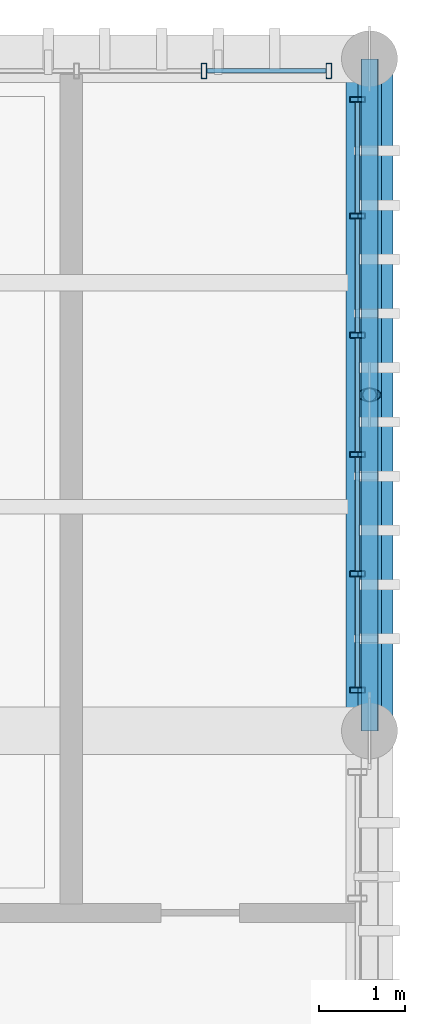
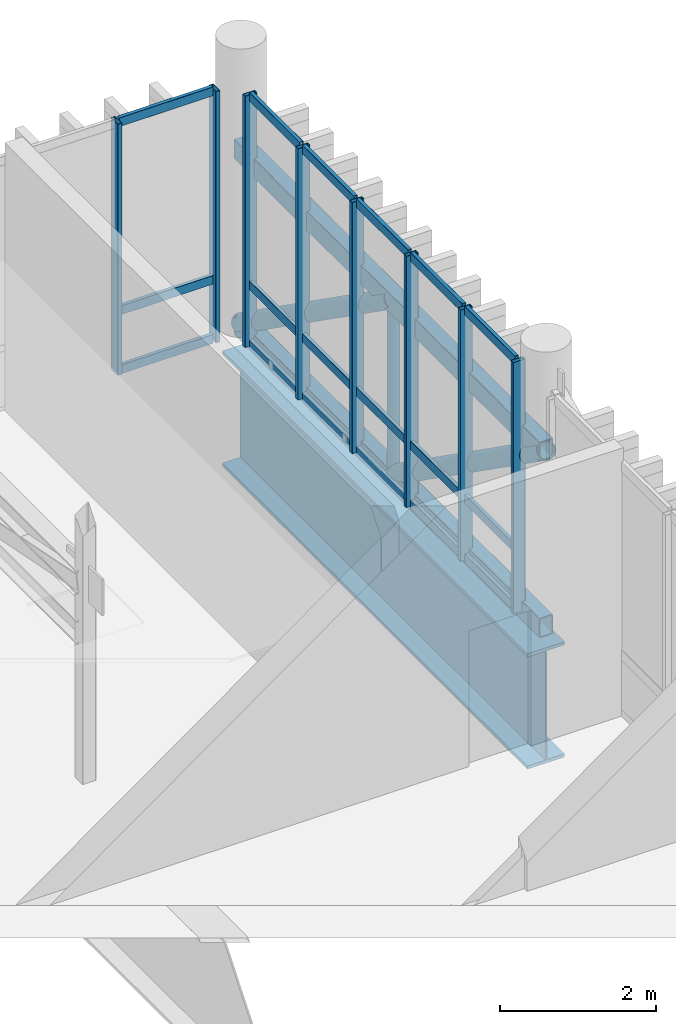
# One storey, part 40 of 53: 31 members, 1 beam, 2 elements without a shape of their own.
"""IFC4 building model written with IfcOpenShell, lengths in metres."""

from ifc_helpers import new_model, si_unit, direction, frame, origin_with_axes, origin_2d_with_axis, place, context, subcontext, project, spatial, hollow_rectangle, hollow_circle, i_section, extrude, material, material_profile, profile_set, type_object, element, aggregate, save


model = new_model("IFC4")

# Units and contexts
model_context = context("Model", 3, precision=1e-05, world=origin_with_axes(), true_north=direction((0.0, 1.0)))
body_context = subcontext(model_context, "Body", "Model", "MODEL_VIEW")
ifc_project = project(units=[si_unit("LENGTHUNIT", "METRE"), si_unit("AREAUNIT", "SQUARE_METRE"), si_unit("VOLUMEUNIT", "CUBIC_METRE"), si_unit("PLANEANGLEUNIT", "RADIAN"), si_unit("MASSUNIT", "GRAM", prefix="KILO"), si_unit("THERMODYNAMICTEMPERATUREUNIT", "KELVIN")], contexts=[model_context])

# Site, building, storey
site_placement = place(None, origin_with_axes())
site = spatial("IfcSite", under=ifc_project, at=site_placement, CompositionType="ELEMENT")
building_placement = place(site_placement, origin_with_axes())
building = spatial("IfcBuilding", under=site, at=building_placement, Name="Montbau Bow Law Courts", CompositionType="ELEMENT")
storey_placement = place(building_placement, frame((0.0, 0.0, 39.0), z_axis=(0.0, 0.0, 1.0), x_axis=(1.0, 0.0, 0.0)))
storey = spatial("IfcBuildingStorey", under=building, at=storey_placement, Name="L08", CompositionType="ELEMENT", Elevation=39.0)

# Beam
ifc_material_1 = material(Name="Steel CSA G40.21 Grade 350WT (350 MPa)", Category="steel")
ifc_material_profile_1 = material_profile(ifc_material_1, i_section(OverallWidth=0.55, OverallDepth=1.8, WebThickness=0.022, FlangeThickness=0.05, at=origin_2d_with_axis()), Name="WWF1800X550", Category="Main", Priority=0)
ifc_profile_set_1 = profile_set([ifc_material_profile_1], Name="Steel CSA G40.21 Grade 350WT (350 MPa)")
beam_type = type_object("IfcBeamType", Name="B-TRG-01", PredefinedType="USERDEFINED", material=ifc_profile_set_1)
beam_placement = place(None, frame((169.4, 103.2, 37.76), z_axis=(0.0, 1.0, 0.0), x_axis=(-1.0, 0.0, 0.0)))
element("IfcBeam", 1, at=beam_placement, inside=storey, type_object=beam_type, Name="TRG-L08-S0105:bm2_0108", ObjectType="GIRDER", PredefinedType="USERDEFINED", context=body_context, shape_type="SweptSolid", body=[
    extrude(i_section(OverallWidth=0.55, OverallDepth=1.8, WebThickness=0.022, FlangeThickness=0.05, at=origin_2d_with_axis()), origin_with_axes(), (0.0, 0.0, 1.0), 7.8),
])

# Members
ifc_material_2 = material(Name="Steel CSA G40.21 Grade 350W (350 MPa)", Category="steel")
ifc_material_profile_2 = material_profile(ifc_material_2, hollow_circle(Radius=0.1365, WallThickness=0.0127, at=origin_2d_with_axis()), Name="HSS273X13", Category="Main", Priority=0)
ifc_profile_set_2 = profile_set([ifc_material_profile_2], Name="Steel CSA G40.21 Grade 350W (350 MPa)")
member_type_1 = type_object("IfcMemberType", Name="M-BRC-03", PredefinedType="BRACE", material=ifc_profile_set_2)
for number, where, z_axis, x_axis, name in (
    (2, (169.4, 103.2, 41.75), (0.0, 0.817258134, -0.576271761), (-1.0, 0.0, 0.0), "Diagonal brace BRC-L08-037"),
    (3, (169.4, 107.1, 41.75), (0.0, 0.817258134, -0.576271761), (-1.0, 0.0, 0.0), "Diagonal brace BRC-L08-038"),
):
    element("IfcMember", number, at=place(None, frame(where, z_axis=z_axis, x_axis=x_axis)), inside=storey, type_object=member_type_1, Name=name, PredefinedType="BRACE", context=body_context, shape_type="SweptSolid", body=[
        extrude(hollow_circle(Radius=0.1365, WallThickness=0.0127, at=origin_2d_with_axis()), origin_with_axes(), (0.0, 0.0, 1.0), 4.772054),
    ])
ifc_material_profile_3 = material_profile(ifc_material_1, hollow_rectangle(XDim=0.203, YDim=0.305, WallThickness=0.0127, InnerFilletRadius=0.0254, OuterFilletRadius=0.0127, at=origin_2d_with_axis()), Name="HSS305X203X13", Category="Main", Priority=0)
ifc_profile_set_3 = profile_set([ifc_material_profile_3], Name="Steel CSA G40.21 Grade 350WT (350 MPa)")
member_type_2 = type_object("IfcMemberType", Name="M-CHD-02", PredefinedType="CHORD", material=ifc_profile_set_3)
for number, where, z_axis, x_axis, name in (
    (4, (169.4, 103.2, 39.0), (0.0, 1.0, 0.0), (-1.0, 0.0, 0.0), "CHB-L08-19:chb_0019"),
    (5, (169.4, 103.2, 41.75), (0.0, 1.0, 0.0), (-1.0, 0.0, 0.0), "CHD-L08-19:mbr_0073"),
):
    element("IfcMember", number, at=place(None, frame(where, z_axis=z_axis, x_axis=x_axis)), inside=storey, type_object=member_type_2, Name=name, PredefinedType="CHORD", context=body_context, shape_type="SweptSolid", body=[
        extrude(hollow_rectangle(XDim=0.203, YDim=0.305, WallThickness=0.0127, InnerFilletRadius=0.0254, OuterFilletRadius=0.0127, at=origin_2d_with_axis()), origin_with_axes(), (0.0, 0.0, 1.0), 7.8),
    ])

# Curtain wall, members
ifc_material_3 = material(Name="Thermally Broken Extruded Aluminium AA 6063-T6", Category="aluminium")
curtain_wall_type = type_object("IfcCurtainWallType", Name="CW-CRM-03", PredefinedType="NOTDEFINED", material=ifc_material_3)
curtain_wall_1_placement = place(None, frame((163.04, 110.86, 39.0), z_axis=(0.0, 0.0, 1.0), x_axis=(1.0, 0.0, 0.0)))
curtain_wall_1 = element("IfcCurtainWall", 6, at=curtain_wall_1_placement, inside=storey, type_object=curtain_wall_type, Name="CW-L08-379:cw_0379", PredefinedType="NOTDEFINED")
ifc_material_profile_4 = material_profile(ifc_material_3, hollow_rectangle(XDim=0.065, YDim=0.18, WallThickness=0.005, InnerFilletRadius=0.01, OuterFilletRadius=0.005, at=origin_2d_with_axis()), Name="CWM-180X65", Category="Main", Priority=0)
ifc_profile_set_4 = profile_set([ifc_material_profile_4], Name="Thermally Broken Extruded Aluminium AA 6063-T6")
member_type_3 = type_object("IfcMemberType", Name="M-MUL-02", PredefinedType="MULLION", material=ifc_profile_set_4)
member_1_placement = place(None, frame((167.48, 110.86, 39.0), z_axis=(0.0, 0.0, 1.0), x_axis=(1.0, 0.0, 0.0)))
member_1 = element("IfcMember", 7, at=member_1_placement, type_object=member_type_3, Name="CW-L08-379-M04:cw_0379_M04", PredefinedType="MULLION", context=body_context, shape_type="SweptSolid", body=[
    extrude(hollow_rectangle(XDim=0.065, YDim=0.18, WallThickness=0.005, InnerFilletRadius=0.01, OuterFilletRadius=0.005, at=origin_2d_with_axis()), origin_with_axes(), (0.0, 0.0, 1.0), 3.92),
])
member_2_placement = place(None, frame((168.928, 110.86, 39.0), z_axis=(0.0, 0.0, 1.0), x_axis=(1.0, 0.0, 0.0)))
member_2 = element("IfcMember", 8, at=member_2_placement, type_object=member_type_3, Name="CW-L08-379-M05:cw_0379_M05", PredefinedType="MULLION", context=body_context, shape_type="SweptSolid", body=[
    extrude(hollow_rectangle(XDim=0.065, YDim=0.18, WallThickness=0.005, InnerFilletRadius=0.01, OuterFilletRadius=0.005, at=origin_2d_with_axis()), origin_with_axes(), (0.0, 0.0, 1.0), 3.92),
])

curtain_wall_2_placement = place(None, frame((169.26, 103.64, 39.0), z_axis=(0.0, 0.0, 1.0), x_axis=(1.0, 0.0, 0.0)))
curtain_wall_2 = element("IfcCurtainWall", 9, at=curtain_wall_2_placement, inside=storey, type_object=curtain_wall_type, Name="CW-L08-385:cw_0385", PredefinedType="NOTDEFINED")
member_3_placement = place(None, frame((169.26, 103.673, 39.0), z_axis=(0.0, 0.0, 1.0), x_axis=(0.0, 1.0, 0.0)))
member_3 = element("IfcMember", 10, at=member_3_placement, type_object=member_type_3, Name="CW-L08-385-M01:cw_0385_M01", PredefinedType="MULLION", context=body_context, shape_type="SweptSolid", body=[
    extrude(hollow_rectangle(XDim=0.065, YDim=0.18, WallThickness=0.005, InnerFilletRadius=0.01, OuterFilletRadius=0.005, at=origin_2d_with_axis()), origin_with_axes(), (0.0, 0.0, 1.0), 3.92),
])
member_4_placement = place(None, frame((169.26, 105.024, 39.0), z_axis=(0.0, 0.0, 1.0), x_axis=(0.0, 1.0, 0.0)))
member_4 = element("IfcMember", 11, at=member_4_placement, type_object=member_type_3, Name="CW-L08-385-M02:cw_0385_M02", PredefinedType="MULLION", context=body_context, shape_type="SweptSolid", body=[
    extrude(hollow_rectangle(XDim=0.065, YDim=0.18, WallThickness=0.005, InnerFilletRadius=0.01, OuterFilletRadius=0.005, at=origin_2d_with_axis()), origin_with_axes(), (0.0, 0.0, 1.0), 3.92),
])
member_5_placement = place(None, frame((169.26, 106.408, 39.0), z_axis=(0.0, 0.0, 1.0), x_axis=(0.0, 1.0, 0.0)))
member_5 = element("IfcMember", 12, at=member_5_placement, type_object=member_type_3, Name="CW-L08-385-M03:cw_0385_M03", PredefinedType="MULLION", context=body_context, shape_type="SweptSolid", body=[
    extrude(hollow_rectangle(XDim=0.065, YDim=0.18, WallThickness=0.005, InnerFilletRadius=0.01, OuterFilletRadius=0.005, at=origin_2d_with_axis()), origin_with_axes(), (0.0, 0.0, 1.0), 3.92),
])
member_6_placement = place(None, frame((169.26, 107.792, 39.0), z_axis=(0.0, 0.0, 1.0), x_axis=(0.0, 1.0, 0.0)))
member_6 = element("IfcMember", 13, at=member_6_placement, type_object=member_type_3, Name="CW-L08-385-M04:cw_0385_M04", PredefinedType="MULLION", context=body_context, shape_type="SweptSolid", body=[
    extrude(hollow_rectangle(XDim=0.065, YDim=0.18, WallThickness=0.005, InnerFilletRadius=0.01, OuterFilletRadius=0.005, at=origin_2d_with_axis()), origin_with_axes(), (0.0, 0.0, 1.0), 3.92),
])
member_7_placement = place(None, frame((169.26, 109.176, 39.0), z_axis=(0.0, 0.0, 1.0), x_axis=(0.0, 1.0, 0.0)))
member_7 = element("IfcMember", 14, at=member_7_placement, type_object=member_type_3, Name="CW-L08-385-M05:cw_0385_M05", PredefinedType="MULLION", context=body_context, shape_type="SweptSolid", body=[
    extrude(hollow_rectangle(XDim=0.065, YDim=0.18, WallThickness=0.005, InnerFilletRadius=0.01, OuterFilletRadius=0.005, at=origin_2d_with_axis()), origin_with_axes(), (0.0, 0.0, 1.0), 3.92),
])
member_8_placement = place(None, frame((169.26, 110.528, 39.0), z_axis=(0.0, 0.0, 1.0), x_axis=(0.0, 1.0, 0.0)))
member_8 = element("IfcMember", 15, at=member_8_placement, type_object=member_type_3, Name="CW-L08-385-M06:cw_0385_M06", PredefinedType="MULLION", context=body_context, shape_type="SweptSolid", body=[
    extrude(hollow_rectangle(XDim=0.065, YDim=0.18, WallThickness=0.005, InnerFilletRadius=0.01, OuterFilletRadius=0.005, at=origin_2d_with_axis()), origin_with_axes(), (0.0, 0.0, 1.0), 3.92),
])

# Member
ifc_material_profile_5 = material_profile(ifc_material_2, hollow_circle(Radius=0.084, WallThickness=0.0095, at=origin_2d_with_axis()), Name="HSS168X9.5", Category="Main", Priority=0)
ifc_profile_set_5 = profile_set([ifc_material_profile_5], Name="Steel CSA G40.21 Grade 350W (350 MPa)")
member_type_4 = type_object("IfcMemberType", Name="M-STR-01", PredefinedType="STRUT", material=ifc_profile_set_5)
member_9_placement = place(None, frame((169.4, 107.1, 39.0), z_axis=(0.0, 0.0, 1.0), x_axis=(1.0, 0.0, 0.0)))
element("IfcMember", 16, at=member_9_placement, inside=storey, type_object=member_type_4, Name="STR-L08-19:mbr_0076", PredefinedType="STRUT", context=body_context, shape_type="SweptSolid", body=[
    extrude(hollow_circle(Radius=0.084, WallThickness=0.0095, at=origin_2d_with_axis()), origin_with_axes(), (0.0, 0.0, 1.0), 2.75),
])

ifc_material_profile_6 = material_profile(ifc_material_3, hollow_rectangle(XDim=0.055, YDim=0.14, WallThickness=0.004, InnerFilletRadius=0.008, OuterFilletRadius=0.004, at=origin_2d_with_axis()), Name="CWT-140X55", Category="Main", Priority=0)
ifc_profile_set_6 = profile_set([ifc_material_profile_6], Name="Thermally Broken Extruded Aluminium AA 6063-T6")
member_type_5 = type_object("IfcMemberType", Name="M-TRN-02", PredefinedType="USERDEFINED", material=ifc_profile_set_6)
member_10_placement = place(None, frame((167.514, 110.86, 39.028), z_axis=(1.0, 0.0, 0.0), x_axis=(0.0, 1.0, 0.0)))
member_10 = element("IfcMember", 17, at=member_10_placement, type_object=member_type_5, Name="CW-L08-379-T04-1:cw_0379_T04_1", ObjectType="TRANSOM", PredefinedType="USERDEFINED", context=body_context, shape_type="SweptSolid", body=[
    extrude(hollow_rectangle(XDim=0.055, YDim=0.14, WallThickness=0.004, InnerFilletRadius=0.008, OuterFilletRadius=0.004, at=origin_2d_with_axis()), origin_with_axes(), (0.0, 0.0, 1.0), 1.38),
])

member_11_placement = place(None, frame((167.514, 110.86, 39.95), z_axis=(1.0, 0.0, 0.0), x_axis=(0.0, 1.0, 0.0)))
member_11 = element("IfcMember", 18, at=member_11_placement, type_object=member_type_5, Name="CW-L08-379-T04-2:cw_0379_T04_2", ObjectType="TRANSOM", PredefinedType="USERDEFINED", context=body_context, shape_type="SweptSolid", body=[
    extrude(hollow_rectangle(XDim=0.055, YDim=0.14, WallThickness=0.004, InnerFilletRadius=0.008, OuterFilletRadius=0.004, at=origin_2d_with_axis()), origin_with_axes(), (0.0, 0.0, 1.0), 1.38),
])

member_12_placement = place(None, frame((167.514, 110.86, 42.892), z_axis=(1.0, 0.0, 0.0), x_axis=(0.0, 1.0, 0.0)))
member_12 = element("IfcMember", 19, at=member_12_placement, type_object=member_type_5, Name="CW-L08-379-T04-3:cw_0379_T04_3", ObjectType="TRANSOM", PredefinedType="USERDEFINED", context=body_context, shape_type="SweptSolid", body=[
    extrude(hollow_rectangle(XDim=0.055, YDim=0.14, WallThickness=0.004, InnerFilletRadius=0.008, OuterFilletRadius=0.004, at=origin_2d_with_axis()), origin_with_axes(), (0.0, 0.0, 1.0), 1.38),
])

aggregate(curtain_wall_1, [member_1, member_2, member_10, member_11, member_12])

member_13_placement = place(None, frame((169.26, 103.708, 39.028), z_axis=(0.0, 1.0, 0.0), x_axis=(-1.0, 0.0, 0.0)))
member_13 = element("IfcMember", 20, at=member_13_placement, type_object=member_type_5, Name="CW-L08-385-T01-1:cw_0385_T01_1", ObjectType="TRANSOM", PredefinedType="USERDEFINED", context=body_context, shape_type="SweptSolid", body=[
    extrude(hollow_rectangle(XDim=0.055, YDim=0.14, WallThickness=0.004, InnerFilletRadius=0.008, OuterFilletRadius=0.004, at=origin_2d_with_axis()), origin_with_axes(), (0.0, 0.0, 1.0), 1.281),
])

member_14_placement = place(None, frame((169.26, 103.708, 39.95), z_axis=(0.0, 1.0, 0.0), x_axis=(-1.0, 0.0, 0.0)))
member_14 = element("IfcMember", 21, at=member_14_placement, type_object=member_type_5, Name="CW-L08-385-T01-2:cw_0385_T01_2", ObjectType="TRANSOM", PredefinedType="USERDEFINED", context=body_context, shape_type="SweptSolid", body=[
    extrude(hollow_rectangle(XDim=0.055, YDim=0.14, WallThickness=0.004, InnerFilletRadius=0.008, OuterFilletRadius=0.004, at=origin_2d_with_axis()), origin_with_axes(), (0.0, 0.0, 1.0), 1.281),
])

member_15_placement = place(None, frame((169.26, 103.708, 42.892), z_axis=(0.0, 1.0, 0.0), x_axis=(-1.0, 0.0, 0.0)))
member_15 = element("IfcMember", 22, at=member_15_placement, type_object=member_type_5, Name="CW-L08-385-T01-3:cw_0385_T01_3", ObjectType="TRANSOM", PredefinedType="USERDEFINED", context=body_context, shape_type="SweptSolid", body=[
    extrude(hollow_rectangle(XDim=0.055, YDim=0.14, WallThickness=0.004, InnerFilletRadius=0.008, OuterFilletRadius=0.004, at=origin_2d_with_axis()), origin_with_axes(), (0.0, 0.0, 1.0), 1.281),
])

member_16_placement = place(None, frame((169.26, 105.058, 39.028), z_axis=(0.0, 1.0, 0.0), x_axis=(-1.0, 0.0, 0.0)))
member_16 = element("IfcMember", 23, at=member_16_placement, type_object=member_type_5, Name="CW-L08-385-T02-1:cw_0385_T02_1", ObjectType="TRANSOM", PredefinedType="USERDEFINED", context=body_context, shape_type="SweptSolid", body=[
    extrude(hollow_rectangle(XDim=0.055, YDim=0.14, WallThickness=0.004, InnerFilletRadius=0.008, OuterFilletRadius=0.004, at=origin_2d_with_axis()), origin_with_axes(), (0.0, 0.0, 1.0), 1.315),
])

member_17_placement = place(None, frame((169.26, 105.058, 39.95), z_axis=(0.0, 1.0, 0.0), x_axis=(-1.0, 0.0, 0.0)))
member_17 = element("IfcMember", 24, at=member_17_placement, type_object=member_type_5, Name="CW-L08-385-T02-2:cw_0385_T02_2", ObjectType="TRANSOM", PredefinedType="USERDEFINED", context=body_context, shape_type="SweptSolid", body=[
    extrude(hollow_rectangle(XDim=0.055, YDim=0.14, WallThickness=0.004, InnerFilletRadius=0.008, OuterFilletRadius=0.004, at=origin_2d_with_axis()), origin_with_axes(), (0.0, 0.0, 1.0), 1.315),
])

member_18_placement = place(None, frame((169.26, 105.058, 42.892), z_axis=(0.0, 1.0, 0.0), x_axis=(-1.0, 0.0, 0.0)))
member_18 = element("IfcMember", 25, at=member_18_placement, type_object=member_type_5, Name="CW-L08-385-T02-3:cw_0385_T02_3", ObjectType="TRANSOM", PredefinedType="USERDEFINED", context=body_context, shape_type="SweptSolid", body=[
    extrude(hollow_rectangle(XDim=0.055, YDim=0.14, WallThickness=0.004, InnerFilletRadius=0.008, OuterFilletRadius=0.004, at=origin_2d_with_axis()), origin_with_axes(), (0.0, 0.0, 1.0), 1.315),
])

member_19_placement = place(None, frame((169.26, 106.442, 39.028), z_axis=(0.0, 1.0, 0.0), x_axis=(-1.0, 0.0, 0.0)))
member_19 = element("IfcMember", 26, at=member_19_placement, type_object=member_type_5, Name="CW-L08-385-T03-1:cw_0385_T03_1", ObjectType="TRANSOM", PredefinedType="USERDEFINED", context=body_context, shape_type="SweptSolid", body=[
    extrude(hollow_rectangle(XDim=0.055, YDim=0.14, WallThickness=0.004, InnerFilletRadius=0.008, OuterFilletRadius=0.004, at=origin_2d_with_axis()), origin_with_axes(), (0.0, 0.0, 1.0), 1.316),
])

member_20_placement = place(None, frame((169.26, 106.442, 39.95), z_axis=(0.0, 1.0, 0.0), x_axis=(-1.0, 0.0, 0.0)))
member_20 = element("IfcMember", 27, at=member_20_placement, type_object=member_type_5, Name="CW-L08-385-T03-2:cw_0385_T03_2", ObjectType="TRANSOM", PredefinedType="USERDEFINED", context=body_context, shape_type="SweptSolid", body=[
    extrude(hollow_rectangle(XDim=0.055, YDim=0.14, WallThickness=0.004, InnerFilletRadius=0.008, OuterFilletRadius=0.004, at=origin_2d_with_axis()), origin_with_axes(), (0.0, 0.0, 1.0), 1.316),
])

member_21_placement = place(None, frame((169.26, 106.442, 42.892), z_axis=(0.0, 1.0, 0.0), x_axis=(-1.0, 0.0, 0.0)))
member_21 = element("IfcMember", 28, at=member_21_placement, type_object=member_type_5, Name="CW-L08-385-T03-3:cw_0385_T03_3", ObjectType="TRANSOM", PredefinedType="USERDEFINED", context=body_context, shape_type="SweptSolid", body=[
    extrude(hollow_rectangle(XDim=0.055, YDim=0.14, WallThickness=0.004, InnerFilletRadius=0.008, OuterFilletRadius=0.004, at=origin_2d_with_axis()), origin_with_axes(), (0.0, 0.0, 1.0), 1.316),
])

member_22_placement = place(None, frame((169.26, 107.826, 39.028), z_axis=(0.0, 1.0, 0.0), x_axis=(-1.0, 0.0, 0.0)))
member_22 = element("IfcMember", 29, at=member_22_placement, type_object=member_type_5, Name="CW-L08-385-T04-1:cw_0385_T04_1", ObjectType="TRANSOM", PredefinedType="USERDEFINED", context=body_context, shape_type="SweptSolid", body=[
    extrude(hollow_rectangle(XDim=0.055, YDim=0.14, WallThickness=0.004, InnerFilletRadius=0.008, OuterFilletRadius=0.004, at=origin_2d_with_axis()), origin_with_axes(), (0.0, 0.0, 1.0), 1.316),
])

member_23_placement = place(None, frame((169.26, 107.826, 39.95), z_axis=(0.0, 1.0, 0.0), x_axis=(-1.0, 0.0, 0.0)))
member_23 = element("IfcMember", 30, at=member_23_placement, type_object=member_type_5, Name="CW-L08-385-T04-2:cw_0385_T04_2", ObjectType="TRANSOM", PredefinedType="USERDEFINED", context=body_context, shape_type="SweptSolid", body=[
    extrude(hollow_rectangle(XDim=0.055, YDim=0.14, WallThickness=0.004, InnerFilletRadius=0.008, OuterFilletRadius=0.004, at=origin_2d_with_axis()), origin_with_axes(), (0.0, 0.0, 1.0), 1.316),
])

member_24_placement = place(None, frame((169.26, 107.826, 42.892), z_axis=(0.0, 1.0, 0.0), x_axis=(-1.0, 0.0, 0.0)))
member_24 = element("IfcMember", 31, at=member_24_placement, type_object=member_type_5, Name="CW-L08-385-T04-3:cw_0385_T04_3", ObjectType="TRANSOM", PredefinedType="USERDEFINED", context=body_context, shape_type="SweptSolid", body=[
    extrude(hollow_rectangle(XDim=0.055, YDim=0.14, WallThickness=0.004, InnerFilletRadius=0.008, OuterFilletRadius=0.004, at=origin_2d_with_axis()), origin_with_axes(), (0.0, 0.0, 1.0), 1.316),
])

member_25_placement = place(None, frame((169.26, 109.21, 39.028), z_axis=(0.0, 1.0, 0.0), x_axis=(-1.0, 0.0, 0.0)))
member_25 = element("IfcMember", 32, at=member_25_placement, type_object=member_type_5, Name="CW-L08-385-T05-1:cw_0385_T05_1", ObjectType="TRANSOM", PredefinedType="USERDEFINED", context=body_context, shape_type="SweptSolid", body=[
    extrude(hollow_rectangle(XDim=0.055, YDim=0.14, WallThickness=0.004, InnerFilletRadius=0.008, OuterFilletRadius=0.004, at=origin_2d_with_axis()), origin_with_axes(), (0.0, 0.0, 1.0), 1.284),
])

member_26_placement = place(None, frame((169.26, 109.21, 39.95), z_axis=(0.0, 1.0, 0.0), x_axis=(-1.0, 0.0, 0.0)))
member_26 = element("IfcMember", 33, at=member_26_placement, type_object=member_type_5, Name="CW-L08-385-T05-2:cw_0385_T05_2", ObjectType="TRANSOM", PredefinedType="USERDEFINED", context=body_context, shape_type="SweptSolid", body=[
    extrude(hollow_rectangle(XDim=0.055, YDim=0.14, WallThickness=0.004, InnerFilletRadius=0.008, OuterFilletRadius=0.004, at=origin_2d_with_axis()), origin_with_axes(), (0.0, 0.0, 1.0), 1.284),
])

member_27_placement = place(None, frame((169.26, 109.21, 42.892), z_axis=(0.0, 1.0, 0.0), x_axis=(-1.0, 0.0, 0.0)))
member_27 = element("IfcMember", 34, at=member_27_placement, type_object=member_type_5, Name="CW-L08-385-T05-3:cw_0385_T05_3", ObjectType="TRANSOM", PredefinedType="USERDEFINED", context=body_context, shape_type="SweptSolid", body=[
    extrude(hollow_rectangle(XDim=0.055, YDim=0.14, WallThickness=0.004, InnerFilletRadius=0.008, OuterFilletRadius=0.004, at=origin_2d_with_axis()), origin_with_axes(), (0.0, 0.0, 1.0), 1.284),
])

aggregate(curtain_wall_2, [member_3, member_4, member_5, member_6, member_7, member_8, member_13, member_14, member_15, member_16, member_17, member_18, member_19, member_20, member_21, member_22, member_23, member_24, member_25, member_26, member_27])

save(model, "model.ifc")
